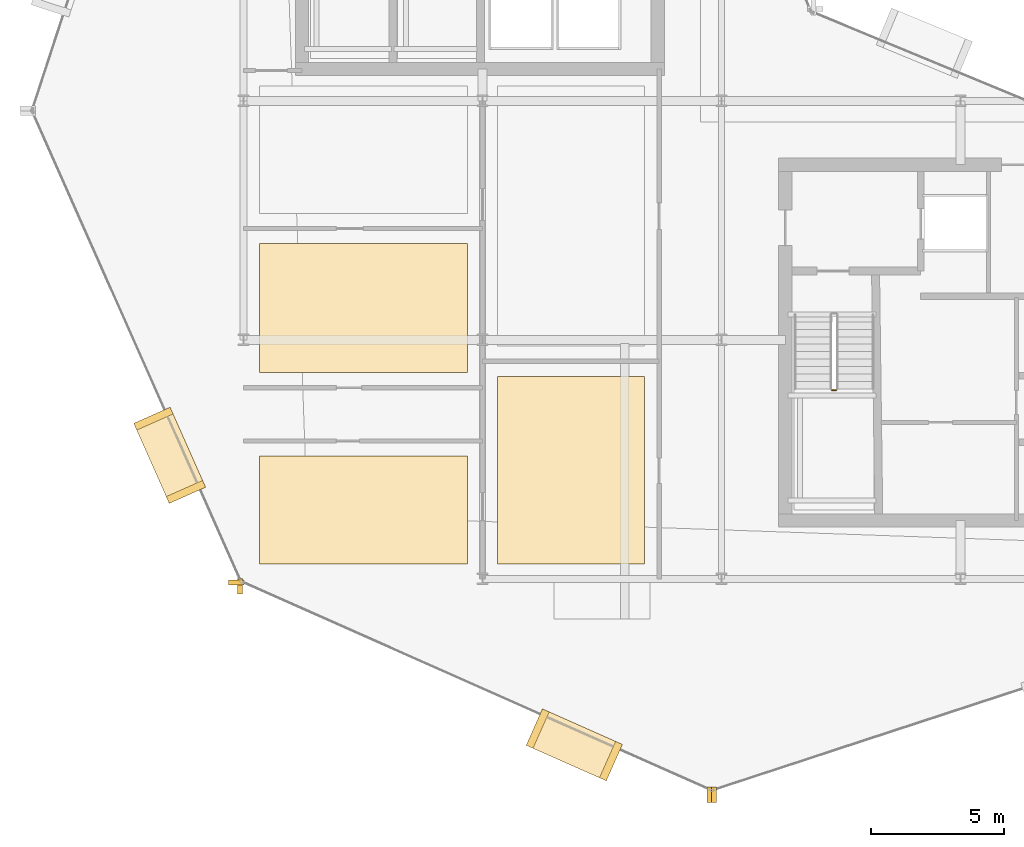
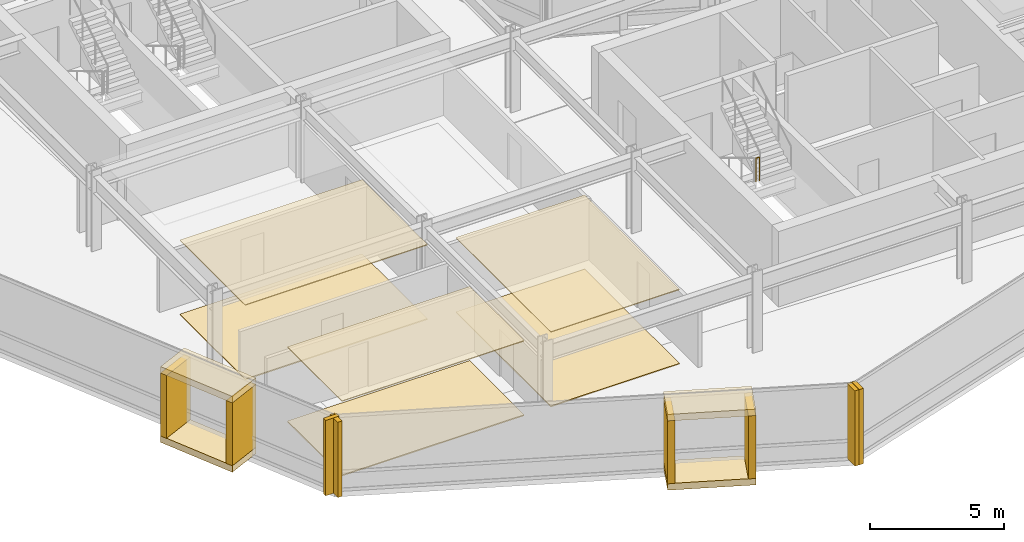
# One storey, part 25 of 29: 18 coverings, 1 railing.
"""IFC4 building model written with IfcOpenShell, lengths in metres."""

from ifc_helpers import new_model, si_unit, direction, frame, origin, origin_2d, place, context, subcontext, project, spatial, polyline, rectangle, circle, outline, extrude, material, layer, layer_set, type_object, element, save


model = new_model("IFC4")

# Units and contexts
model_context = context("Model", 3, precision=1e-05, world=origin(), true_north=direction((0.0, 1.0)))
body_context = subcontext(model_context, "Body", "Model", "MODEL_VIEW")
ifc_project = project(units=[si_unit("LENGTHUNIT", "METRE"), si_unit("AREAUNIT", "SQUARE_METRE"), si_unit("VOLUMEUNIT", "CUBIC_METRE"), si_unit("PLANEANGLEUNIT", "RADIAN"), si_unit("MASSUNIT", "GRAM", prefix="KILO")], contexts=[model_context])

# Site, building, storey
site_placement = place(None, origin())
site = spatial("IfcSite", under=ifc_project, at=site_placement, CompositionType="ELEMENT")
building_placement = place(site_placement, origin())
building = spatial("IfcBuilding", under=site, at=building_placement, Name="Solvaryn Broadcast Tower", CompositionType="ELEMENT")
storey_placement = place(building_placement, frame((0.0, 0.0, 139.60009765625)))
storey = spatial("IfcBuildingStorey", under=building, at=storey_placement, Name="L34", CompositionType="ELEMENT", Elevation=139.60009765625)

# Coverings
ifc_material_1 = material(Name="Micro-Perforated Acoustic Gypsum Ceiling", Category="concrete")
ifc_layer_1 = layer(ifc_material_1, 0.0400390625)
ifc_layer_set_1 = layer_set([ifc_layer_1], Name="CV-CEIL-ACOUSTIC")
covering_type_1 = type_object("IfcCoveringType", Name="CV-CEIL-ACOUSTIC", PredefinedType="CEILING", material=ifc_layer_set_1)
covering_1_placement = place(storey_placement, frame((0.0, 0.0, 3.3798828125)))
element("IfcCovering", 1, at=covering_1_placement, inside=storey, type_object=covering_type_1, Name="L34 Room Acoustic Ceiling 1", PredefinedType="CEILING", context=body_context, shape_type="SweptSolid", body=[
    extrude(outline(polyline([(18.570068359375, 9.570068359375), (24.10009765625, 9.570068359375), (24.10009765625, 16.6298828125), (18.570068359375, 16.6298828125), (18.570068359375, 9.570068359375)])), origin(), (0.0, 0.0, 1.0), 0.0400390625),
])
covering_2_placement = place(storey_placement, frame((0.0, 0.0, 3.3798828125)))
element("IfcCovering", 2, at=covering_2_placement, inside=storey, type_object=covering_type_1, Name="L34 Room Acoustic Ceiling 3", PredefinedType="CEILING", context=body_context, shape_type="SweptSolid", body=[
    extrude(outline(polyline([(9.60009765625, 9.570068359375), (17.429931640625, 9.570068359375), (17.429931640625, 13.6298828125), (9.60009765625, 13.6298828125), (9.60009765625, 9.570068359375)])), origin(), (0.0, 0.0, 1.0), 0.0400390625),
])
covering_3_placement = place(storey_placement, frame((0.0, 0.0, 3.3798828125)))
element("IfcCovering", 3, at=covering_3_placement, inside=storey, type_object=covering_type_1, Name="L34 Room Acoustic Ceiling 4", PredefinedType="CEILING", context=body_context, shape_type="SweptSolid", body=[
    extrude(outline(polyline([(9.60009765625, 16.77001953125), (17.429931640625, 16.77001953125), (17.429931640625, 21.6298828125), (9.60009765625, 21.6298828125), (9.60009765625, 16.77001953125)])), origin(), (0.0, 0.0, 1.0), 0.0400390625),
])
ifc_material_2 = material(Name="Newsroom Raised Data Access Flooring", Category="steel")
ifc_layer_2 = layer(ifc_material_2, 0.050048828125)
ifc_layer_set_2 = layer_set([ifc_layer_2], Name="CV-FLOOR-RAISED")
covering_type_2 = type_object("IfcCoveringType", Name="CV-FLOOR-RAISED", PredefinedType="FLOORING", material=ifc_layer_set_2)
covering_4_placement = place(storey_placement, origin())
element("IfcCovering", 4, at=covering_4_placement, inside=storey, type_object=covering_type_2, Name="L34 Room Acoustic Floor Finish 1", PredefinedType="FLOORING", context=body_context, shape_type="SweptSolid", body=[
    extrude(outline(polyline([(18.570068359375, 9.570068359375), (24.10009765625, 9.570068359375), (24.10009765625, 16.6298828125), (18.570068359375, 16.6298828125), (18.570068359375, 9.570068359375)])), origin(), (0.0, 0.0, 1.0), 0.0498046875),
])
covering_5_placement = place(storey_placement, origin())
element("IfcCovering", 5, at=covering_5_placement, inside=storey, type_object=covering_type_2, Name="L34 Room Acoustic Floor Finish 3", PredefinedType="FLOORING", context=body_context, shape_type="SweptSolid", body=[
    extrude(outline(polyline([(9.60009765625, 9.570068359375), (17.429931640625, 9.570068359375), (17.429931640625, 13.6298828125), (9.60009765625, 13.6298828125), (9.60009765625, 9.570068359375)])), origin(), (0.0, 0.0, 1.0), 0.0498046875),
])
covering_6_placement = place(storey_placement, origin())
element("IfcCovering", 6, at=covering_6_placement, inside=storey, type_object=covering_type_2, Name="L34 Room Acoustic Floor Finish 4", PredefinedType="FLOORING", context=body_context, shape_type="SweptSolid", body=[
    extrude(outline(polyline([(9.60009765625, 16.77001953125), (17.429931640625, 16.77001953125), (17.429931640625, 21.6298828125), (9.60009765625, 21.6298828125), (9.60009765625, 16.77001953125)])), origin(), (0.0, 0.0, 1.0), 0.0498046875),
])
ifc_material_3 = material(Name="Glazed Architectural Terracotta Rainscreen Cladding", Category="masonry")
ifc_layer_3 = layer(ifc_material_3, 0.280029296875)
ifc_layer_set_3 = layer_set([ifc_layer_3], Name="CV-TC-CLAD")
covering_type_3 = type_object("IfcCoveringType", Name="CV-TC-CLAD", PredefinedType="CLADDING", material=ifc_layer_set_3)
for number, where, z_axis, x_axis, name in (
    (7, (6.218994140625, 13.656982421875, 3.1298828125), (0.0, 0.0, 1.0), (0.405939269498, -0.913900054426, 0.0), "L34 Projecting Stone Window Box Hood 2"),
    (8, (6.218994140625, 13.656982421875, -0.01025390625), (0.0, 0.0, 1.0), (0.405939269498, -0.913900054426, 0.0), "L34 Projecting Stone Window Box Sill 2"),
):
    element("IfcCovering", number, at=place(storey_placement, frame(where, z_axis=z_axis, x_axis=x_axis)), inside=storey, type_object=covering_type_3, Name=name, PredefinedType="CLADDING", context=body_context, shape_type="SweptSolid", body=[
        extrude(rectangle(XDim=3.300048828125, YDim=1.5, at=origin_2d()), origin(), (0.0, 0.0, 1.0), 0.300048828125),
    ])
for number, where, z_axis, x_axis, name in (
    (9, (5.60595703125, 15.037109375, 0.27978515625), (0.0, 0.0, 1.0), (0.405939269498, -0.913900054426, 0.0), "L34 Projecting Stone Window Box Cheek 2-1"),
    (10, (6.83203125, 12.277099609375, 0.27978515625), (0.0, 0.0, 1.0), (0.405939269498, -0.913900054426, 0.0), "L34 Projecting Stone Window Box Cheek 2-2"),
):
    element("IfcCovering", number, at=place(storey_placement, frame(where, z_axis=z_axis, x_axis=x_axis)), inside=storey, type_object=covering_type_3, Name=name, PredefinedType="CLADDING", context=body_context, shape_type="SweptSolid", body=[
        extrude(rectangle(XDim=0.280029296875, YDim=1.5, at=origin_2d()), origin(), (0.0, 0.0, 1.0), 2.860107421875),
    ])
for number, where, z_axis, x_axis, name in (
    (11, (21.45703125, 2.75390625, 3.1298828125), (0.0, 0.0, 1.0), (0.913900054426, -0.405939269498, 0.0), "L34 Projecting Stone Window Box Hood 3"),
    (12, (21.45703125, 2.75390625, -0.01025390625), (0.0, 0.0, 1.0), (0.913900054426, -0.405939269498, 0.0), "L34 Projecting Stone Window Box Sill 3"),
):
    element("IfcCovering", number, at=place(storey_placement, frame(where, z_axis=z_axis, x_axis=x_axis)), inside=storey, type_object=covering_type_3, Name=name, PredefinedType="CLADDING", context=body_context, shape_type="SweptSolid", body=[
        extrude(rectangle(XDim=3.300048828125, YDim=1.5, at=origin_2d()), origin(), (0.0, 0.0, 1.0), 0.300048828125),
    ])
for number, where, z_axis, x_axis, name in (
    (13, (20.076904296875, 3.366943359375, 0.27978515625), (0.0, 0.0, 1.0), (0.913900054426, -0.405939269498, 0.0), "L34 Projecting Stone Window Box Cheek 3-1"),
    (14, (22.8369140625, 2.14111328125, 0.27978515625), (0.0, 0.0, 1.0), (0.913900054426, -0.405939269498, 0.0), "L34 Projecting Stone Window Box Cheek 3-2"),
):
    element("IfcCovering", number, at=place(storey_placement, frame(where, z_axis=z_axis, x_axis=x_axis)), inside=storey, type_object=covering_type_3, Name=name, PredefinedType="CLADDING", context=body_context, shape_type="SweptSolid", body=[
        extrude(rectangle(XDim=0.280029296875, YDim=1.5, at=origin_2d()), origin(), (0.0, 0.0, 1.0), 2.860107421875),
    ])
ifc_material_4 = material(Name="Extruded Architectural Terracotta Fin", Category="masonry")
ifc_layer_4 = layer(ifc_material_4, 0.179931640625)
ifc_layer_set_4 = layer_set([ifc_layer_4], Name="CV-TC-FIN")
covering_type_4 = type_object("IfcCoveringType", Name="CV-TC-FIN", PredefinedType="USERDEFINED", material=ifc_layer_set_4)
covering_7_placement = place(storey_placement, frame((8.731689453125, 8.86279296875, 0.0), z_axis=(0.0, 0.0, 1.0), x_axis=(1.0, 0.0, 0.0)))
element("IfcCovering", 15, at=covering_7_placement, inside=storey, type_object=covering_type_4, Name="L34 Terracotta Vertical Fin FIN-L34-DR2-M01", ObjectType="FIN", PredefinedType="USERDEFINED", context=body_context, shape_type="SweptSolid", body=[
    extrude(rectangle(XDim=0.580078125, YDim=0.179931640625, at=origin_2d()), origin(), (0.0, 0.0, 1.0), 3.419921875),
])
for number, where, z_axis, x_axis, name in (
    (16, (8.86279296875, 8.731689453125, 0.0), (0.0, 0.0, 1.0), (1.0, 0.0, 0.0), "L34 Terracotta Vertical Fin FIN-L34-DR3-M00"),
    (17, (26.535888671875, 0.8818359375, 0.0), (0.0, 0.0, 1.0), (1.0, 0.0, 0.0), "L34 Terracotta Vertical Fin FIN-L34-DR3-M01"),
    (18, (26.720703125, 0.872314453125, 0.0), (0.0, 0.0, 1.0), (1.0, 0.0, 0.0), "L34 Terracotta Vertical Fin FIN-L34-DR4-M00"),
):
    element("IfcCovering", number, at=place(storey_placement, frame(where, z_axis=z_axis, x_axis=x_axis)), inside=storey, type_object=covering_type_4, Name=name, ObjectType="FIN", PredefinedType="USERDEFINED", context=body_context, shape_type="SweptSolid", body=[
        extrude(rectangle(XDim=0.179931640625, YDim=0.580078125, at=origin_2d()), origin(), (0.0, 0.0, 1.0), 3.419921875),
    ])

# Railing
ifc_material_5 = material(Name="Painted Steel Stair Well Guard", Category="steel")
railing_type = type_object("IfcRailingType", Name="RL-STAIR-GUARD", PredefinedType="BALUSTRADE", material=ifc_material_5)
railing_placement = place(storey_placement, frame((31.159912109375, 16.110107421875, 1.849853515625)))
element("IfcRailing", 19, at=railing_placement, inside=storey, type_object=railing_type, Name="L34 ST3 stair guard 2", PredefinedType="BALUSTRADE", context=body_context, shape_type="SweptSolid", body=[
    extrude(circle(Radius=0.02392578125, at=origin_2d()), frame((0.0, 0.0, 1.076171875), z_axis=(1.0, 0.0, 0.0), x_axis=(0.0, 1.0, 0.0)), (0.0, 0.0, 1.0), 0.150146484375),
    extrude(circle(Radius=0.02099609375, at=origin_2d()), origin(), (0.0, 0.0, 1.0), 1.052001953125),
    extrude(circle(Radius=0.02099609375, at=origin_2d()), frame((0.150146484375, 0.0, 0.0)), (0.0, 0.0, 1.0), 1.052001953125),
])

save(model, "model.ifc")
